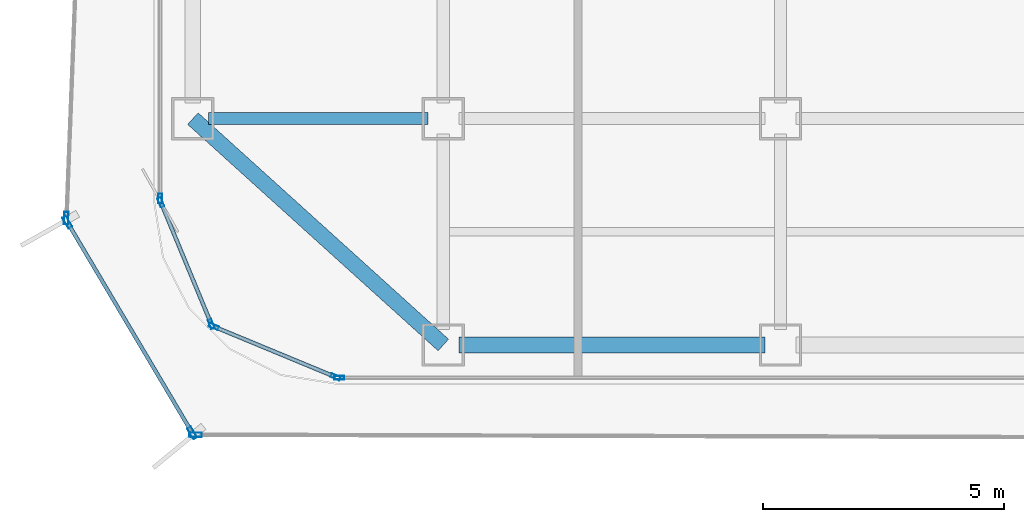
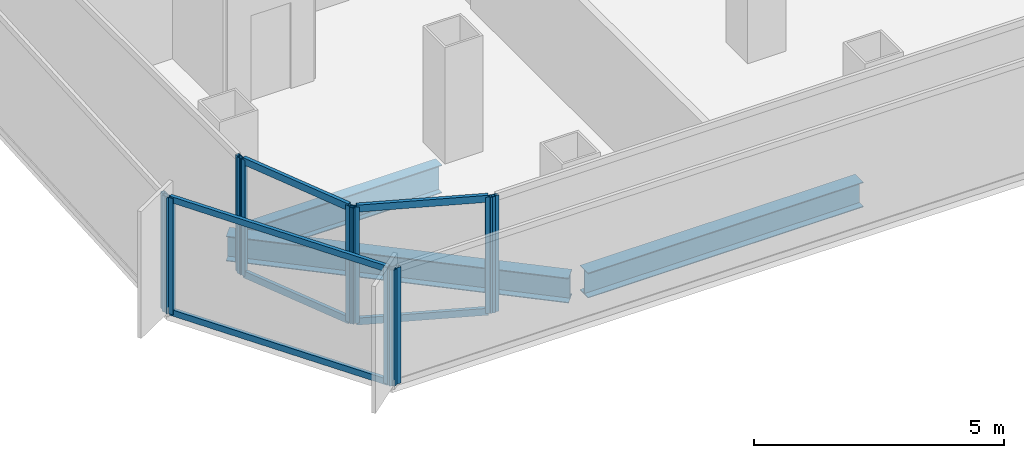
# One storey, part 2 of 21: 16 members, 3 beams, 7 elements without a shape of their own.
"""IFC4 building model written with IfcOpenShell, lengths in metres."""

from ifc_helpers import new_model, si_unit, direction, frame, origin, origin_2d, place, context, subcontext, project, spatial, hollow_rectangle, i_section, extrude, source, transform, mapped, material, layer, layer_set, material_profile, profile_set, type_object, element, aggregate, save


model = new_model("IFC4")

# Units and contexts
model_context = context("Model", 3, precision=1e-05, world=origin(), true_north=direction((0.0, 1.0)))
body_context = subcontext(model_context, "Body", "Model", "MODEL_VIEW")
ifc_project = project(units=[si_unit("LENGTHUNIT", "METRE"), si_unit("AREAUNIT", "SQUARE_METRE"), si_unit("VOLUMEUNIT", "CUBIC_METRE"), si_unit("PLANEANGLEUNIT", "RADIAN"), si_unit("MASSUNIT", "GRAM", prefix="KILO")], contexts=[model_context])

# Site, building, storey
site_placement = place(None, origin())
site = spatial("IfcSite", under=ifc_project, at=site_placement, CompositionType="ELEMENT")
building_placement = place(site_placement, origin())
building = spatial("IfcBuilding", under=site, at=building_placement, Name="Kolveth Station Tower", CompositionType="ELEMENT")
storey_placement = place(building_placement, frame((0.0, 0.0, 140.699951171875)))
storey = spatial("IfcBuildingStorey", under=building, at=storey_placement, Name="L39", CompositionType="ELEMENT", Elevation=140.699951171875)

# Beams
ifc_material_1 = material(Name="Steel S355", Category="steel")
ifc_material_profile_1 = material_profile(ifc_material_1, i_section(OverallWidth=0.323974609375, OverallDepth=0.611083984375, WebThickness=0.0126953125, FlangeThickness=0.01904296875, at=origin_2d()), Name="W610x155")
ifc_profile_set_1 = profile_set([ifc_material_profile_1], Name="Steel S355")
beam_type_1 = type_object("IfcBeamType", Name="Beam_SP2", PredefinedType="SPANDREL", material=ifc_profile_set_1)
shared_shape_1 = source(origin(), body_context, "Body", "SweptSolid", [
    extrude(i_section(OverallWidth=0.323974609375, OverallDepth=0.611083984375, WebThickness=0.0126953125, FlangeThickness=0.01904296875, at=origin_2d()), origin(), (0.0, 0.0, 1.0), 6.35986328125),
])
beam_1_placement = place(storey_placement, frame((6.320068359375, 0.800048828125, -0.555419921875), z_axis=(1.0, 0.0, 0.0), x_axis=(0.0, 1.0, 0.0)))
element("IfcBeam", 1, at=beam_1_placement, inside=storey, type_object=beam_type_1, Name="L39 Perimeter Spandrel BM-L39-PS-1", PredefinedType="SPANDREL", context=body_context, shape_type="MappedRepresentation", body=[
    mapped(shared_shape_1, transform((0.0, 0.0, 0.0), x_axis=(1.0, 0.0, 0.0), y_axis=(0.0, 1.0, 0.0), z_axis=(0.0, 0.0, 1.0), scale=1.0)),
])
shared_shape_2 = source(origin(), body_context, "Body", "SweptSolid", [
    extrude(i_section(OverallWidth=0.323974609375, OverallDepth=0.611083984375, WebThickness=0.0126953125, FlangeThickness=0.01904296875, at=origin_2d()), origin(), (0.0, 0.0, 1.0), 7.00927734375),
])
beam_2_placement = place(storey_placement, frame((0.800048828125, 5.5, -0.555419921875), z_axis=(0.741874009795, -0.670539300557, 0.0), x_axis=(0.670539300557, 0.741874009795, 0.0)))
element("IfcBeam", 2, at=beam_2_placement, inside=storey, type_object=beam_type_1, Name="L39 Corner Edge Girder BM-L39-CNR-SW", PredefinedType="SPANDREL", context=body_context, shape_type="MappedRepresentation", body=[
    mapped(shared_shape_2, transform((0.0, 0.0, 0.0), x_axis=(1.0, 0.0, 0.0), y_axis=(0.0, 1.0, 0.0), z_axis=(0.0, 0.0, 1.0), scale=1.0)),
])
ifc_material_profile_2 = material_profile(ifc_material_1, i_section(OverallWidth=0.25390625, OverallDepth=0.68798828125, WebThickness=0.01318359375, FlangeThickness=0.02099609375, at=origin_2d()), Name="W690x152")
ifc_profile_set_2 = profile_set([ifc_material_profile_2], Name="Steel S355")
beam_type_2 = type_object("IfcBeamType", Name="Beam_B4", PredefinedType="BEAM", material=ifc_profile_set_2)
shared_shape_3 = source(origin(), body_context, "Body", "SweptSolid", [
    extrude(i_section(OverallWidth=0.25390625, OverallDepth=0.68798828125, WebThickness=0.01318359375, FlangeThickness=0.02099609375, at=origin_2d()), origin(), (0.0, 0.0, 1.0), 4.559814453125),
])
beam_3_placement = place(storey_placement, frame((1.1201171875, 5.5, -0.593994140625), z_axis=(1.0, 0.0, 0.0), x_axis=(0.0, 1.0, 0.0)))
element("IfcBeam", 3, at=beam_3_placement, inside=storey, type_object=beam_type_2, Name="L39 Primary Girder BM-L39-GY55-1", PredefinedType="BEAM", context=body_context, shape_type="MappedRepresentation", body=[
    mapped(shared_shape_3, transform((0.0, 0.0, 0.0), x_axis=(1.0, 0.0, 0.0), y_axis=(0.0, 1.0, 0.0), z_axis=(0.0, 0.0, 1.0), scale=1.0)),
])

# Curtain wall, members
ifc_material_2 = material(Name="Aluminium 6063-T6 and low-E dark glass", Category="aluminium")
ifc_layer_1 = layer(ifc_material_2, 0.18994140625)
ifc_layer_set_1 = layer_set([ifc_layer_1], Name="Aluminium 6063-T6 and low-E dark glass")
curtain_wall_type_1 = type_object("IfcCurtainWallType", Name="CurtainWall_CW-Z2", PredefinedType="NOTDEFINED", material=ifc_layer_set_1)
curtain_wall_1_placement = place(storey_placement, origin())
curtain_wall_1 = element("IfcCurtainWall", 4, at=curtain_wall_1_placement, inside=storey, type_object=curtain_wall_type_1, Name="L39 Inner Thermal Curtain Wall 10", PredefinedType="NOTDEFINED")
ifc_material_3 = material(Name="Black anodized aluminium 6063-T6", Category="aluminium")
ifc_material_profile_3 = material_profile(ifc_material_3, hollow_rectangle(XDim=0.080078125, YDim=0.169921875, WallThickness=0.0048828125, at=origin_2d()), Name="ALU-80x170x5")
ifc_profile_set_3 = profile_set([ifc_material_profile_3], Name="Black anodized aluminium 6063-T6")
member_type_1 = type_object("IfcMemberType", Name="Transom_TR2", PredefinedType="USERDEFINED", material=ifc_profile_set_3)
shared_shape_4 = source(origin(), body_context, "Body", "SweptSolid", [
    extrude(hollow_rectangle(XDim=0.080078125, YDim=0.169921875, WallThickness=0.0048828125, at=origin_2d()), origin(), (0.0, 0.0, 1.0), 2.656494140625),
])
member_1_placement = place(storey_placement, frame((0.150634765625, 3.72607421875, 0.0400390625), z_axis=(0.382676455475, -0.923882422403, 0.0), x_axis=(0.923882422403, 0.382676455475, 0.0)))
member_1 = element("IfcMember", 5, at=member_1_placement, type_object=member_type_1, Name="CW-Z2 transom 1.1", ObjectType="TRANSOM", PredefinedType="USERDEFINED", context=body_context, shape_type="MappedRepresentation", body=[
    mapped(shared_shape_4, transform((0.0, 0.0, 0.0), x_axis=(1.0, 0.0, 0.0), y_axis=(0.0, 1.0, 0.0), z_axis=(0.0, 0.0, 1.0), scale=1.0)),
])
member_2_placement = place(storey_placement, frame((0.150634765625, 3.72607421875, 2.800048828125), z_axis=(0.382676455475, -0.923882422403, 0.0), x_axis=(0.923882422403, 0.382676455475, 0.0)))
member_2 = element("IfcMember", 6, at=member_2_placement, type_object=member_type_1, Name="CW-Z2 transom 1.2", ObjectType="TRANSOM", PredefinedType="USERDEFINED", context=body_context, shape_type="MappedRepresentation", body=[
    mapped(shared_shape_4, transform((0.0, 0.0, 0.0), x_axis=(1.0, 0.0, 0.0), y_axis=(0.0, 1.0, 0.0), z_axis=(0.0, 0.0, 1.0), scale=1.0)),
])

curtain_wall_2_placement = place(storey_placement, origin())
curtain_wall_2 = element("IfcCurtainWall", 7, at=curtain_wall_2_placement, inside=storey, type_object=curtain_wall_type_1, Name="L39 Inner Thermal Curtain Wall 11", PredefinedType="NOTDEFINED")
member_3_placement = place(storey_placement, frame((1.271728515625, 1.167236328125, 0.0400390625), z_axis=(0.923882422403, -0.382676455475, 0.0), x_axis=(0.382676455475, 0.923882422403, 0.0)))
member_3 = element("IfcMember", 8, at=member_3_placement, type_object=member_type_1, Name="CW-Z2 transom 1.1", ObjectType="TRANSOM", PredefinedType="USERDEFINED", context=body_context, shape_type="MappedRepresentation", body=[
    mapped(shared_shape_4, transform((0.0, 0.0, 0.0), x_axis=(1.0, 0.0, 0.0), y_axis=(0.0, 1.0, 0.0), z_axis=(0.0, 0.0, 1.0), scale=1.0)),
])
member_4_placement = place(storey_placement, frame((1.271728515625, 1.167236328125, 2.800048828125), z_axis=(0.923882422403, -0.382676455475, 0.0), x_axis=(0.382676455475, 0.923882422403, 0.0)))
member_4 = element("IfcMember", 9, at=member_4_placement, type_object=member_type_1, Name="CW-Z2 transom 1.2", ObjectType="TRANSOM", PredefinedType="USERDEFINED", context=body_context, shape_type="MappedRepresentation", body=[
    mapped(shared_shape_4, transform((0.0, 0.0, 0.0), x_axis=(1.0, 0.0, 0.0), y_axis=(0.0, 1.0, 0.0), z_axis=(0.0, 0.0, 1.0), scale=1.0)),
])

# Curtain wall, member
curtain_wall_3_placement = place(storey_placement, origin())
curtain_wall_3 = element("IfcCurtainWall", 10, at=curtain_wall_3_placement, inside=storey, type_object=curtain_wall_type_1, Name="L39 Inner Thermal Curtain Wall 9", PredefinedType="NOTDEFINED")
ifc_material_profile_4 = material_profile(ifc_material_3, hollow_rectangle(XDim=0.080078125, YDim=0.199951171875, WallThickness=0.0048828125, at=origin_2d()), Name="ALU-80x200x5")
ifc_profile_set_4 = profile_set([ifc_material_profile_4], Name="Black anodized aluminium 6063-T6")
member_type_2 = type_object("IfcMemberType", Name="Mullion_ML2", PredefinedType="MULLION", material=ifc_profile_set_4)
shared_shape_5 = source(origin(), body_context, "Body", "SweptSolid", [
    extrude(hollow_rectangle(XDim=0.080078125, YDim=0.199951171875, WallThickness=0.0048828125, at=origin_2d()), origin(), (0.0, 0.0, 1.0), 2.840087890625),
])
member_5_placement = place(storey_placement, frame((0.1201171875, 3.840087890625, 0.0), z_axis=(0.0, 0.0, 1.0), x_axis=(1.0, 0.0, 0.0)))
member_5 = element("IfcMember", 11, at=member_5_placement, type_object=member_type_2, Name="CW-Z2 mullion 2", PredefinedType="MULLION", context=body_context, shape_type="MappedRepresentation", body=[
    mapped(shared_shape_5, transform((0.0, 0.0, 0.0), x_axis=(1.0, 0.0, 0.0), y_axis=(0.0, 1.0, 0.0), z_axis=(0.0, 0.0, 1.0), scale=1.0)),
])
aggregate(curtain_wall_3, [member_5])

# Member
member_6_placement = place(storey_placement, frame((0.13525390625, 3.762939453125, 0.0), z_axis=(0.0, 0.0, 1.0), x_axis=(0.923887883787, 0.38266326998, 0.0)))
member_6 = element("IfcMember", 12, at=member_6_placement, type_object=member_type_2, Name="CW-Z2 mullion 1", PredefinedType="MULLION", context=body_context, shape_type="MappedRepresentation", body=[
    mapped(shared_shape_5, transform((0.0, 0.0, 0.0), x_axis=(1.0, 0.0, 0.0), y_axis=(0.0, 1.0, 0.0), z_axis=(0.0, 0.0, 1.0), scale=1.0)),
])

member_7_placement = place(storey_placement, frame((1.182373046875, 1.23486328125, 0.0), z_axis=(0.0, 0.0, 1.0), x_axis=(0.923887883787, 0.38266326998, 0.0)))
member_7 = element("IfcMember", 13, at=member_7_placement, type_object=member_type_2, Name="CW-Z2 mullion 2", PredefinedType="MULLION", context=body_context, shape_type="MappedRepresentation", body=[
    mapped(shared_shape_5, transform((0.0, 0.0, 0.0), x_axis=(1.0, 0.0, 0.0), y_axis=(0.0, 1.0, 0.0), z_axis=(0.0, 0.0, 1.0), scale=1.0)),
])

aggregate(curtain_wall_1, [member_6, member_7, member_1, member_2])

member_8_placement = place(storey_placement, frame((1.23486328125, 1.182373046875, 0.0), z_axis=(0.0, 0.0, 1.0), x_axis=(0.38266326998, 0.923887883787, 0.0)))
member_8 = element("IfcMember", 14, at=member_8_placement, type_object=member_type_2, Name="CW-Z2 mullion 1", PredefinedType="MULLION", context=body_context, shape_type="MappedRepresentation", body=[
    mapped(shared_shape_5, transform((0.0, 0.0, 0.0), x_axis=(1.0, 0.0, 0.0), y_axis=(0.0, 1.0, 0.0), z_axis=(0.0, 0.0, 1.0), scale=1.0)),
])

member_9_placement = place(storey_placement, frame((3.762939453125, 0.13525390625, 0.0), z_axis=(0.0, 0.0, 1.0), x_axis=(0.38266326998, 0.923887883787, 0.0)))
member_9 = element("IfcMember", 15, at=member_9_placement, type_object=member_type_2, Name="CW-Z2 mullion 2", PredefinedType="MULLION", context=body_context, shape_type="MappedRepresentation", body=[
    mapped(shared_shape_5, transform((0.0, 0.0, 0.0), x_axis=(1.0, 0.0, 0.0), y_axis=(0.0, 1.0, 0.0), z_axis=(0.0, 0.0, 1.0), scale=1.0)),
])

aggregate(curtain_wall_2, [member_8, member_9, member_3, member_4])

# Curtain wall, member
curtain_wall_4_placement = place(storey_placement, origin())
curtain_wall_4 = element("IfcCurtainWall", 16, at=curtain_wall_4_placement, inside=storey, type_object=curtain_wall_type_1, Name="L39 Inner Thermal Curtain Wall 12", PredefinedType="NOTDEFINED")
member_10_placement = place(storey_placement, frame((3.840087890625, 0.1201171875, 0.0), z_axis=(0.0, 0.0, 1.0), x_axis=(0.0, 1.0, 0.0)))
member_10 = element("IfcMember", 17, at=member_10_placement, type_object=member_type_2, Name="CW-Z2 mullion 1", PredefinedType="MULLION", context=body_context, shape_type="MappedRepresentation", body=[
    mapped(shared_shape_5, transform((0.0, 0.0, 0.0), x_axis=(1.0, 0.0, 0.0), y_axis=(0.0, 1.0, 0.0), z_axis=(0.0, 0.0, 1.0), scale=1.0)),
])
aggregate(curtain_wall_4, [member_10])

ifc_material_4 = material(Name="Black anodized aluminium 6063-T6 and dark solar glass", Category="aluminium")
ifc_layer_2 = layer(ifc_material_4, 0.159912109375)
ifc_layer_set_2 = layer_set([ifc_layer_2], Name="Black anodized aluminium 6063-T6 and dark solar glass")
curtain_wall_type_2 = type_object("IfcCurtainWallType", Name="OUTER SKIN CW-OS", PredefinedType="NOTDEFINED", material=ifc_layer_set_2)
curtain_wall_5_placement = place(storey_placement, origin())
curtain_wall_5 = element("IfcCurtainWall", 18, at=curtain_wall_5_placement, inside=storey, type_object=curtain_wall_type_2, Name="L39 Outer Ventilated Skin Curtain Wall 6", PredefinedType="NOTDEFINED")
ifc_material_profile_5 = material_profile(ifc_material_3, hollow_rectangle(XDim=0.090087890625, YDim=0.260009765625, WallThickness=0.0048828125, at=origin_2d()), Name="ALU-90x260x5")
ifc_profile_set_5 = profile_set([ifc_material_profile_5], Name="Black anodized aluminium 6063-T6")
member_type_3 = type_object("IfcMemberType", Name="FIN MULLION ML-OS", PredefinedType="MULLION", material=ifc_profile_set_5)
shared_shape_6 = source(origin(), body_context, "Body", "SweptSolid", [
    extrude(hollow_rectangle(XDim=0.090087890625, YDim=0.260009765625, WallThickness=0.0048828125, at=origin_2d()), origin(), (0.0, 0.0, 1.0), 2.840087890625),
])
member_11_placement = place(storey_placement, frame((-1.829345703125, 3.434814453125, 0.0), z_axis=(0.0, 0.0, 1.0), x_axis=(0.999248544068, -0.038760123555, 0.0)))
member_11 = element("IfcMember", 19, at=member_11_placement, type_object=member_type_3, Name="CW-OS mullion 2", PredefinedType="MULLION", context=body_context, shape_type="MappedRepresentation", body=[
    mapped(shared_shape_6, transform((0.0, 0.0, 0.0), x_axis=(1.0, 0.0, 0.0), y_axis=(0.0, 1.0, 0.0), z_axis=(0.0, 0.0, 1.0), scale=1.0)),
])
aggregate(curtain_wall_5, [member_11])

# Curtain wall, members
curtain_wall_6_placement = place(storey_placement, origin())
curtain_wall_6 = element("IfcCurtainWall", 20, at=curtain_wall_6_placement, inside=storey, type_object=curtain_wall_type_2, Name="L39 Outer Ventilated Skin Curtain Wall 7", PredefinedType="NOTDEFINED")
member_12_placement = place(storey_placement, frame((-1.80810546875, 3.35107421875, 0.0), z_axis=(0.0, 0.0, 1.0), x_axis=(0.860293101945, 0.509799743769, 0.0)))
member_12 = element("IfcMember", 21, at=member_12_placement, type_object=member_type_3, Name="CW-OS mullion 1", PredefinedType="MULLION", context=body_context, shape_type="MappedRepresentation", body=[
    mapped(shared_shape_6, transform((0.0, 0.0, 0.0), x_axis=(1.0, 0.0, 0.0), y_axis=(0.0, 1.0, 0.0), z_axis=(0.0, 0.0, 1.0), scale=1.0)),
])
member_13_placement = place(storey_placement, frame((0.7861328125, -1.026611328125, 0.0), z_axis=(0.0, 0.0, 1.0), x_axis=(0.860293101945, 0.509799743769, 0.0)))
member_13 = element("IfcMember", 22, at=member_13_placement, type_object=member_type_3, Name="CW-OS mullion 2", PredefinedType="MULLION", context=body_context, shape_type="MappedRepresentation", body=[
    mapped(shared_shape_6, transform((0.0, 0.0, 0.0), x_axis=(1.0, 0.0, 0.0), y_axis=(0.0, 1.0, 0.0), z_axis=(0.0, 0.0, 1.0), scale=1.0)),
])

# Curtain wall, member
curtain_wall_7_placement = place(storey_placement, origin())
curtain_wall_7 = element("IfcCurtainWall", 23, at=curtain_wall_7_placement, inside=storey, type_object=curtain_wall_type_2, Name="L39 Outer Ventilated Skin Curtain Wall 8", PredefinedType="NOTDEFINED")
member_14_placement = place(storey_placement, frame((0.85400390625, -1.0654296875, 0.0), z_axis=(0.0, 0.0, 1.0), x_axis=(0.002885431667, 0.999995837133, 0.0)))
member_14 = element("IfcMember", 24, at=member_14_placement, type_object=member_type_3, Name="CW-OS mullion 1", PredefinedType="MULLION", context=body_context, shape_type="MappedRepresentation", body=[
    mapped(shared_shape_6, transform((0.0, 0.0, 0.0), x_axis=(1.0, 0.0, 0.0), y_axis=(0.0, 1.0, 0.0), z_axis=(0.0, 0.0, 1.0), scale=1.0)),
])
aggregate(curtain_wall_7, [member_14])

# Member
ifc_material_profile_6 = material_profile(ifc_material_3, hollow_rectangle(XDim=0.080078125, YDim=0.14990234375, WallThickness=0.0048828125, at=origin_2d()), Name="ALU-80x150x5")
ifc_profile_set_6 = profile_set([ifc_material_profile_6], Name="Black anodized aluminium 6063-T6")
member_type_4 = type_object("IfcMemberType", Name="Transom_TR-OS", PredefinedType="USERDEFINED", material=ifc_profile_set_6)
shared_shape_7 = source(origin(), body_context, "Body", "SweptSolid", [
    extrude(hollow_rectangle(XDim=0.080078125, YDim=0.14990234375, WallThickness=0.0048828125, at=origin_2d()), origin(), (0.0, 0.0, 1.0), 4.99853515625),
])
member_15_placement = place(storey_placement, frame((-1.78515625, 3.312255859375, 0.0400390625), z_axis=(0.509805067891, -0.860289946909, 0.0), x_axis=(0.860289946909, 0.509805067891, 0.0)))
member_15 = element("IfcMember", 25, at=member_15_placement, type_object=member_type_4, Name="CW-OS transom 1.1", ObjectType="TRANSOM", PredefinedType="USERDEFINED", context=body_context, shape_type="MappedRepresentation", body=[
    mapped(shared_shape_7, transform((0.0, 0.0, 0.0), x_axis=(1.0, 0.0, 0.0), y_axis=(0.0, 1.0, 0.0), z_axis=(0.0, 0.0, 1.0), scale=1.0)),
])

member_16_placement = place(storey_placement, frame((-1.78515625, 3.312255859375, 2.800048828125), z_axis=(0.509805067891, -0.860289946909, 0.0), x_axis=(0.860289946909, 0.509805067891, 0.0)))
member_16 = element("IfcMember", 26, at=member_16_placement, type_object=member_type_4, Name="CW-OS transom 1.2", ObjectType="TRANSOM", PredefinedType="USERDEFINED", context=body_context, shape_type="MappedRepresentation", body=[
    mapped(shared_shape_7, transform((0.0, 0.0, 0.0), x_axis=(1.0, 0.0, 0.0), y_axis=(0.0, 1.0, 0.0), z_axis=(0.0, 0.0, 1.0), scale=1.0)),
])

aggregate(curtain_wall_6, [member_12, member_13, member_15, member_16])

save(model, "model.ifc")
